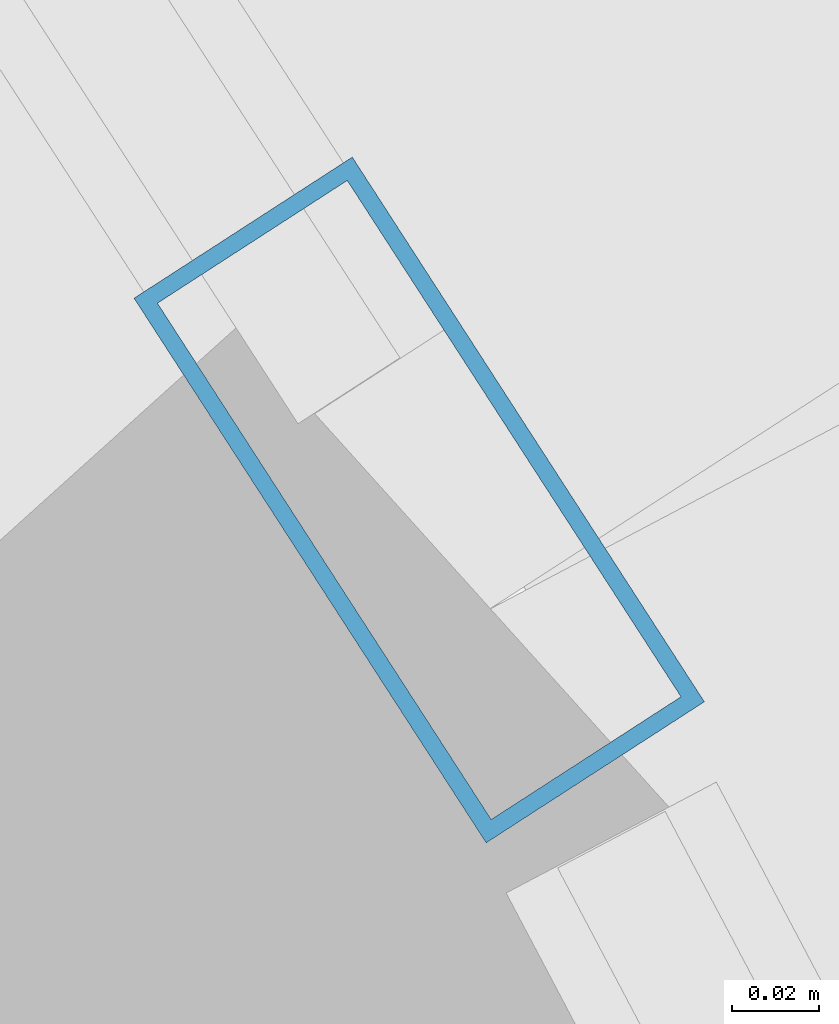
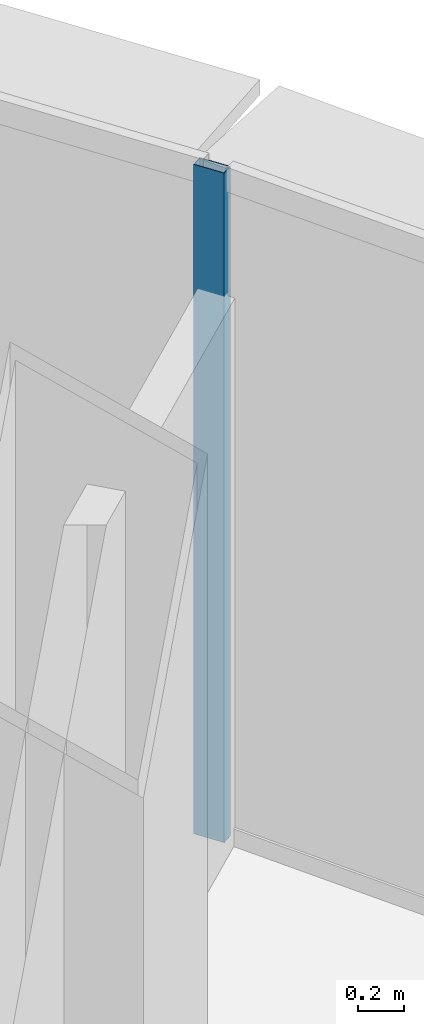
# One storey, part 20 of 37: 1 member, 1 element without a shape of its own.
"""IFC4 building model written with IfcOpenShell, lengths in metres."""

from ifc_helpers import new_model, si_unit, direction, frame, origin, origin_2d, place, context, subcontext, project, spatial, hollow_rectangle, extrude, source, transform, mapped, material, layer, layer_set, material_profile, profile_set, type_object, element, aggregate, save


model = new_model("IFC4")

# Units and contexts
model_context = context("Model", 3, precision=1e-05, world=origin(), true_north=direction((0.0, 1.0)))
body_context = subcontext(model_context, "Body", "Model", "MODEL_VIEW")
ifc_project = project(units=[si_unit("LENGTHUNIT", "METRE"), si_unit("AREAUNIT", "SQUARE_METRE"), si_unit("VOLUMEUNIT", "CUBIC_METRE"), si_unit("PLANEANGLEUNIT", "RADIAN"), si_unit("MASSUNIT", "GRAM", prefix="KILO"), si_unit("THERMODYNAMICTEMPERATUREUNIT", "KELVIN"), si_unit("POWERUNIT", "WATT")], contexts=[model_context])

# Site, building, storey
site_placement = place(None, origin())
site = spatial("IfcSite", under=ifc_project, at=site_placement, CompositionType="ELEMENT")
building_placement = place(site_placement, origin())
building = spatial("IfcBuilding", under=site, at=building_placement, Name="Yunzhuo Pagoda Commons", CompositionType="ELEMENT")
storey_placement = place(building_placement, frame((0.0, 0.0, 196.159912109375)))
storey = spatial("IfcBuildingStorey", under=building, at=storey_placement, Name="L49", CompositionType="ELEMENT", Elevation=196.159912109375)

# Curtain wall, member
ifc_material = material(Name="Anodized aluminium 6063-T6", Category="aluminium")
ifc_layer = layer(ifc_material, 0.14990234375)
ifc_layer_set = layer_set([ifc_layer], Name="Anodized aluminium 6063-T6")
curtain_wall_type = type_object("IfcCurtainWallType", Name="CW-MID Mid-Zone Ribbon Curtain Wall", PredefinedType="NOTDEFINED", material=ifc_layer_set)
curtain_wall_placement = place(storey_placement, origin())
curtain_wall = element("IfcCurtainWall", 1, at=curtain_wall_placement, inside=storey, type_object=curtain_wall_type, Name="L49 curtain wall CW-L49-F2B4", PredefinedType="NOTDEFINED")
ifc_material_profile = material_profile(ifc_material, hollow_rectangle(XDim=0.06005859375, YDim=0.14990234375, WallThickness=0.00390625, at=origin_2d()), Name="Anodized aluminium 6063-T6")
ifc_profile_set = profile_set([ifc_material_profile], Name="Anodized aluminium 6063-T6")
member_type = type_object("IfcMemberType", Name="CW-MID-M Mullion RHS 150x60x4", PredefinedType="MULLION", material=ifc_profile_set)
shared_shape = source(origin(), body_context, "Body", "SweptSolid", [
    extrude(hollow_rectangle(XDim=0.06005859375, YDim=0.14990234375, WallThickness=0.00390625, at=origin_2d()), origin(), (0.0, 0.0, 1.0), 3.5400390625),
])
member_placement = place(storey_placement, frame((72.10791015625, 55.44677734375, 0.0), z_axis=(0.0, 0.0, 1.0), x_axis=(-0.839794048542, -0.542905107761, 0.0)))
member = element("IfcMember", 2, at=member_placement, type_object=member_type, Name="CW mullion 1", PredefinedType="MULLION", context=body_context, shape_type="MappedRepresentation", body=[
    mapped(shared_shape, transform((0.0, 0.0, 0.0), scale=1.0)),
])
aggregate(curtain_wall, [member])

save(model, "model.ifc")
